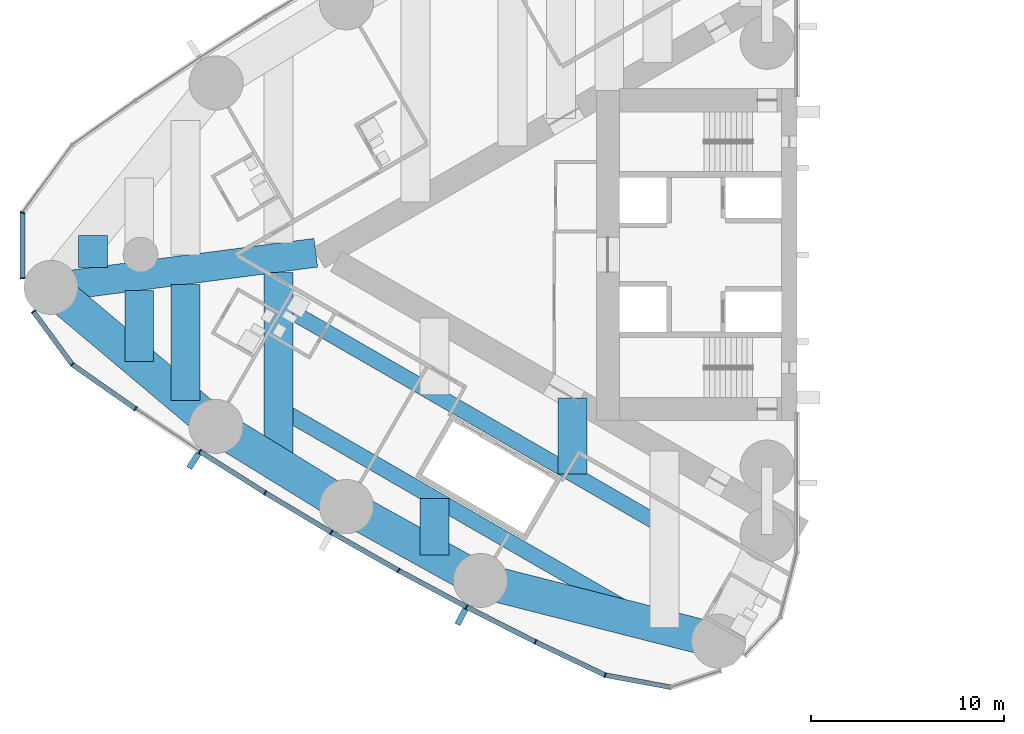
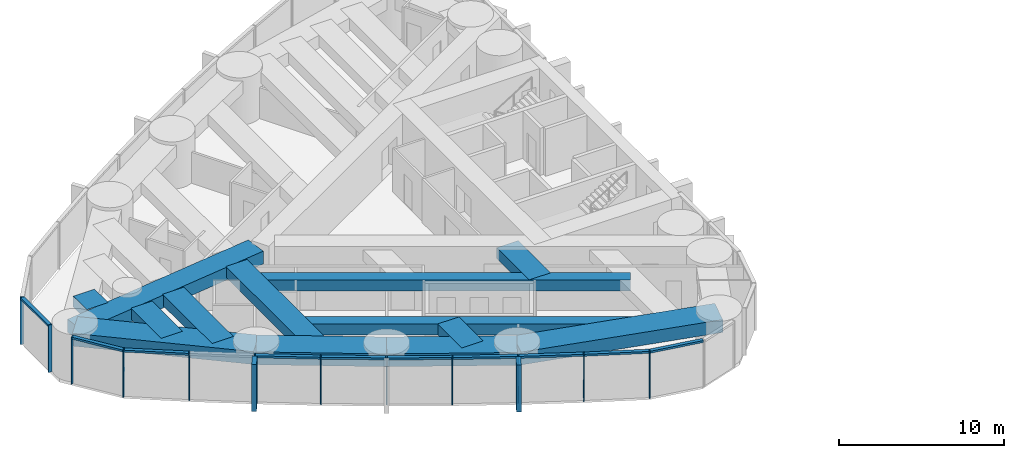
# One storey, part 2 of 18: 24 members, 13 beams, 2 elements without a shape of their own.
"""IFC4 building model written with IfcOpenShell, lengths in metres."""

from ifc_helpers import new_model, si_unit, direction, frame, origin, origin_2d, place, context, subcontext, project, spatial, rectangle, hollow_rectangle, extrude, material, material_profile, profile_set, type_object, element, aggregate, save


model = new_model("IFC4")

# Units and contexts
model_context = context("Model", 3, precision=1e-05, world=origin(), true_north=direction((0.0, 1.0)))
body_context = subcontext(model_context, "Body", "Model", "MODEL_VIEW")
ifc_project = project(units=[si_unit("LENGTHUNIT", "METRE"), si_unit("AREAUNIT", "SQUARE_METRE"), si_unit("VOLUMEUNIT", "CUBIC_METRE"), si_unit("PLANEANGLEUNIT", "RADIAN"), si_unit("MASSUNIT", "GRAM", prefix="KILO")], contexts=[model_context])

# Site, building, storey
site_placement = place(None, origin())
site = spatial("IfcSite", under=ifc_project, at=site_placement, CompositionType="ELEMENT")
building_placement = place(site_placement, origin())
building = spatial("IfcBuilding", under=site, at=building_placement, Name="Lancet Gate Hotel", CompositionType="ELEMENT")
storey_placement = place(building_placement, frame((0.0, 0.0, 180.800048828125)))
storey = spatial("IfcBuildingStorey", under=building, at=storey_placement, Name="L48", CompositionType="ELEMENT", Elevation=180.800048828125)

# Curtain wall, members
ifc_material_1 = material(Name="Aluminium curtain wall", Category="aluminium")
curtain_wall_type = type_object("IfcCurtainWallType", Name="Tower unitised curtain wall", PredefinedType="USERDEFINED", material=ifc_material_1)
curtain_wall_1_placement = place(storey_placement, origin())
curtain_wall_1 = element("IfcCurtainWall", 1, at=curtain_wall_1_placement, inside=storey, type_object=curtain_wall_type, Name="T1 L48 curtain wall 2", ObjectType="UNITISED CURTAIN WALL", PredefinedType="USERDEFINED")
ifc_material_2 = material(Name="Aluminium mullion", Category="aluminium")
ifc_material_profile_1 = material_profile(ifc_material_2, rectangle(XDim=0.06494140625, YDim=0.25, at=origin_2d()), Name="MULLION 65x250")
ifc_profile_set_1 = profile_set([ifc_material_profile_1], Name="Aluminium mullion")
member_type_1 = type_object("IfcMemberType", Name="Aluminium mullion 65x250", PredefinedType="MULLION", material=ifc_profile_set_1)
member_1_placement = place(storey_placement, frame((-67.61572265625, 2.177490234375, 0.0), z_axis=(0.0, 0.0, 1.0), x_axis=(-0.349199411078, -0.937048435943, 0.0)))
member_1 = element("IfcMember", 2, at=member_1_placement, type_object=member_type_1, Name="T1 L48 curtain wall 2 mullion 12", PredefinedType="MULLION", context=body_context, shape_type="SweptSolid", body=[
    extrude(rectangle(XDim=0.06494140625, YDim=0.25, at=origin_2d()), origin(), (0.0, 0.0, 1.0), 3.5),
])
member_2_placement = place(storey_placement, frame((-67.61572265625, -1.220458984375, 0.0), z_axis=(0.0, 0.0, 1.0), x_axis=(0.0, -1.0, 0.0)))
member_2 = element("IfcMember", 3, at=member_2_placement, type_object=member_type_1, Name="T1 L48 curtain wall 2 mullion 13", PredefinedType="MULLION", context=body_context, shape_type="SweptSolid", body=[
    extrude(rectangle(XDim=0.06494140625, YDim=0.25, at=origin_2d()), origin(), (0.0, 0.0, 1.0), 3.5),
])

curtain_wall_2_placement = place(storey_placement, origin())
curtain_wall_2 = element("IfcCurtainWall", 4, at=curtain_wall_2_placement, inside=storey, type_object=curtain_wall_type, Name="T1 L48 curtain wall 3", ObjectType="UNITISED CURTAIN WALL", PredefinedType="USERDEFINED")
member_3_placement = place(storey_placement, frame((-67.05029296875, -2.948486328125, 0.0), z_axis=(0.0, 0.0, 1.0), x_axis=(0.591299785592, -0.806451835858, 0.0)))
member_3 = element("IfcMember", 5, at=member_3_placement, type_object=member_type_1, Name="T1 L48 curtain wall 3 mullion 1", PredefinedType="MULLION", context=body_context, shape_type="SweptSolid", body=[
    extrude(rectangle(XDim=0.06494140625, YDim=0.25, at=origin_2d()), origin(), (0.0, 0.0, 1.0), 3.5),
])
member_4_placement = place(storey_placement, frame((-65.040283203125, -5.68994140625, 0.0), z_axis=(0.0, 0.0, 1.0), x_axis=(0.724381882759, -0.689398932354, 0.0)))
member_4 = element("IfcMember", 6, at=member_4_placement, type_object=member_type_1, Name="T1 L48 curtain wall 3 mullion 2", PredefinedType="MULLION", context=body_context, shape_type="SweptSolid", body=[
    extrude(rectangle(XDim=0.06494140625, YDim=0.25, at=origin_2d()), origin(), (0.0, 0.0, 1.0), 3.5),
])
member_5_placement = place(storey_placement, frame((-61.7626953125, -7.980712890625, 0.0), z_axis=(0.0, 0.0, 1.0), x_axis=(0.826312172542, -0.563212387568, 0.0)))
member_5 = element("IfcMember", 7, at=member_5_placement, type_object=member_type_1, Name="T1 L48 curtain wall 3 mullion 3", PredefinedType="MULLION", context=body_context, shape_type="SweptSolid", body=[
    extrude(rectangle(XDim=0.06494140625, YDim=0.25, at=origin_2d()), origin(), (0.0, 0.0, 1.0), 3.5),
])
member_6_placement = place(storey_placement, frame((-58.43212890625, -10.194091796875, 0.0), z_axis=(0.0, 0.0, 1.0), x_axis=(0.839331119324, -0.54362052218, 0.0)))
member_6 = element("IfcMember", 8, at=member_6_placement, type_object=member_type_1, Name="T1 L48 curtain wall 3 mullion 4", PredefinedType="MULLION", context=body_context, shape_type="SweptSolid", body=[
    extrude(rectangle(XDim=0.06494140625, YDim=0.25, at=origin_2d()), origin(), (0.0, 0.0, 1.0), 3.5),
])
member_7_placement = place(storey_placement, frame((-55.05029296875, -12.328369140625, 0.0), z_axis=(0.0, 0.0, 1.0), x_axis=(0.851885635531, -0.52372785297, 0.0)))
member_7 = element("IfcMember", 9, at=member_7_placement, type_object=member_type_1, Name="T1 L48 curtain wall 3 mullion 5", PredefinedType="MULLION", context=body_context, shape_type="SweptSolid", body=[
    extrude(rectangle(XDim=0.06494140625, YDim=0.25, at=origin_2d()), origin(), (0.0, 0.0, 1.0), 3.5),
])
member_8_placement = place(storey_placement, frame((-51.619384765625, -14.38232421875, 0.0), z_axis=(0.0, 0.0, 1.0), x_axis=(0.863968774311, -0.503545387245, 0.0)))
member_8 = element("IfcMember", 10, at=member_8_placement, type_object=member_type_1, Name="T1 L48 curtain wall 3 mullion 6", PredefinedType="MULLION", context=body_context, shape_type="SweptSolid", body=[
    extrude(rectangle(XDim=0.06494140625, YDim=0.25, at=origin_2d()), origin(), (0.0, 0.0, 1.0), 3.5),
])
member_9_placement = place(storey_placement, frame((-48.140869140625, -16.355224609375, 0.0), z_axis=(0.0, 0.0, 1.0), x_axis=(0.87557384965, -0.483084292654, 0.0)))
member_9 = element("IfcMember", 11, at=member_9_placement, type_object=member_type_1, Name="T1 L48 curtain wall 3 mullion 7", PredefinedType="MULLION", context=body_context, shape_type="SweptSolid", body=[
    extrude(rectangle(XDim=0.06494140625, YDim=0.25, at=origin_2d()), origin(), (0.0, 0.0, 1.0), 3.5),
])
member_10_placement = place(storey_placement, frame((-44.6171875, -18.245849609375, 0.0), z_axis=(0.0, 0.0, 1.0), x_axis=(0.886694440064, -0.462355891019, 0.0)))
member_10 = element("IfcMember", 12, at=member_10_placement, type_object=member_type_1, Name="T1 L48 curtain wall 3 mullion 8", PredefinedType="MULLION", context=body_context, shape_type="SweptSolid", body=[
    extrude(rectangle(XDim=0.06494140625, YDim=0.25, at=origin_2d()), origin(), (0.0, 0.0, 1.0), 3.5),
])
member_11_placement = place(storey_placement, frame((-41.0498046875, -20.052978515625, 0.0), z_axis=(0.0, 0.0, 1.0), x_axis=(0.897324392142, -0.441371652088, 0.0)))
member_11 = element("IfcMember", 13, at=member_11_placement, type_object=member_type_1, Name="T1 L48 curtain wall 3 mullion 9", PredefinedType="MULLION", context=body_context, shape_type="SweptSolid", body=[
    extrude(rectangle(XDim=0.06494140625, YDim=0.25, at=origin_2d()), origin(), (0.0, 0.0, 1.0), 3.5),
])
member_12_placement = place(storey_placement, frame((-37.44091796875, -21.775634765625, 0.0), z_axis=(0.0, 0.0, 1.0), x_axis=(0.948119321052, -0.317914694609, 0.0)))
member_12 = element("IfcMember", 14, at=member_12_placement, type_object=member_type_1, Name="T1 L48 curtain wall 3 mullion 10", PredefinedType="MULLION", context=body_context, shape_type="SweptSolid", body=[
    extrude(rectangle(XDim=0.06494140625, YDim=0.25, at=origin_2d()), origin(), (0.0, 0.0, 1.0), 3.5),
])

# Member
ifc_material_3 = material(Name="Aluminium transom", Category="aluminium")
ifc_material_profile_2 = material_profile(ifc_material_3, rectangle(XDim=0.25, YDim=0.14990234375, at=origin_2d()), Name="TRANSOM 250x150")
ifc_profile_set_2 = profile_set([ifc_material_profile_2], Name="Aluminium transom")
member_type_2 = type_object("IfcMemberType", Name="Aluminium transom 250x150", PredefinedType="USERDEFINED", material=ifc_profile_set_2)
member_13_placement = place(storey_placement, frame((-67.61572265625, 2.14501953125, 3.425048828125), z_axis=(0.0, -1.0, 0.0), x_axis=(1.0, 0.0, 0.0)))
member_13 = element("IfcMember", 15, at=member_13_placement, type_object=member_type_2, Name="T1 L48 curtain wall 2 transom 12", ObjectType="TRANSOM", PredefinedType="USERDEFINED", context=body_context, shape_type="SweptSolid", body=[
    extrude(rectangle(XDim=0.25, YDim=0.14990234375, at=origin_2d()), origin(), (0.0, 0.0, 1.0), 3.3330078125),
])

aggregate(curtain_wall_1, [member_1, member_2, member_13])

member_14_placement = place(storey_placement, frame((-67.031005859375, -2.974853515625, 3.425048828125), z_axis=(0.591306519832, -0.806446898193, 0.0), x_axis=(0.806446898193, 0.591306519832, 0.0)))
member_14 = element("IfcMember", 16, at=member_14_placement, type_object=member_type_2, Name="T1 L48 curtain wall 3 transom 1", ObjectType="TRANSOM", PredefinedType="USERDEFINED", context=body_context, shape_type="SweptSolid", body=[
    extrude(rectangle(XDim=0.25, YDim=0.14990234375, at=origin_2d()), origin(), (0.0, 0.0, 1.0), 3.333984375),
])

member_15_placement = place(storey_placement, frame((-65.013671875, -5.70849609375, 3.425048828125), z_axis=(0.819636985462, -0.572883244704, 0.0), x_axis=(0.572883244704, 0.819636985462, 0.0)))
member_15 = element("IfcMember", 17, at=member_15_placement, type_object=member_type_2, Name="T1 L48 curtain wall 3 transom 2", ObjectType="TRANSOM", PredefinedType="USERDEFINED", context=body_context, shape_type="SweptSolid", body=[
    extrude(rectangle(XDim=0.25, YDim=0.14990234375, at=origin_2d()), origin(), (0.0, 0.0, 1.0), 3.933837890625),
])

member_16_placement = place(storey_placement, frame((-58.40478515625, -10.21142578125, 3.425048828125), z_axis=(0.845671711095, -0.53370343549, 0.0), x_axis=(0.53370343549, 0.845671711095, 0.0)))
member_16 = element("IfcMember", 18, at=member_16_placement, type_object=member_type_2, Name="T1 L48 curtain wall 3 transom 4", ObjectType="TRANSOM", PredefinedType="USERDEFINED", context=body_context, shape_type="SweptSolid", body=[
    extrude(rectangle(XDim=0.25, YDim=0.14990234375, at=origin_2d()), origin(), (0.0, 0.0, 1.0), 3.93408203125),
])

member_17_placement = place(storey_placement, frame((-55.0224609375, -12.344970703125, 3.425048828125), z_axis=(0.857985365092, -0.513674131419, 0.0), x_axis=(0.513674131419, 0.857985365092, 0.0)))
member_17 = element("IfcMember", 19, at=member_17_placement, type_object=member_type_2, Name="T1 L48 curtain wall 3 transom 5", ObjectType="TRANSOM", PredefinedType="USERDEFINED", context=body_context, shape_type="SweptSolid", body=[
    extrude(rectangle(XDim=0.25, YDim=0.14990234375, at=origin_2d()), origin(), (0.0, 0.0, 1.0), 3.933837890625),
])

member_18_placement = place(storey_placement, frame((-51.591064453125, -14.3984375, 3.425048828125), z_axis=(0.869819807367, -0.493369539709, 0.0), x_axis=(0.493369539709, 0.869819807367, 0.0)))
member_18 = element("IfcMember", 20, at=member_18_placement, type_object=member_type_2, Name="T1 L48 curtain wall 3 transom 6", ObjectType="TRANSOM", PredefinedType="USERDEFINED", context=body_context, shape_type="SweptSolid", body=[
    extrude(rectangle(XDim=0.25, YDim=0.14990234375, at=origin_2d()), origin(), (0.0, 0.0, 1.0), 3.93408203125),
])

member_19_placement = place(storey_placement, frame((-48.1123046875, -16.37060546875, 3.425048828125), z_axis=(0.881185491994, -0.472770693571, 0.0), x_axis=(0.472770693571, 0.881185491994, 0.0)))
member_19 = element("IfcMember", 21, at=member_19_placement, type_object=member_type_2, Name="T1 L48 curtain wall 3 transom 7", ObjectType="TRANSOM", PredefinedType="USERDEFINED", context=body_context, shape_type="SweptSolid", body=[
    extrude(rectangle(XDim=0.25, YDim=0.14990234375, at=origin_2d()), origin(), (0.0, 0.0, 1.0), 3.93408203125),
])

member_20_placement = place(storey_placement, frame((-44.588134765625, -18.260498046875, 3.425048828125), z_axis=(0.892081477453, -0.451874581699, 0.0), x_axis=(0.451874581699, 0.892081477453, 0.0)))
member_20 = element("IfcMember", 22, at=member_20_placement, type_object=member_type_2, Name="T1 L48 curtain wall 3 transom 8", ObjectType="TRANSOM", PredefinedType="USERDEFINED", context=body_context, shape_type="SweptSolid", body=[
    extrude(rectangle(XDim=0.25, YDim=0.14990234375, at=origin_2d()), origin(), (0.0, 0.0, 1.0), 3.933837890625),
])

member_21_placement = place(storey_placement, frame((-41.0205078125, -20.06689453125, 3.425048828125), z_axis=(0.902468975385, -0.430754858902, 0.0), x_axis=(0.430754858902, 0.902468975385, 0.0)))
member_21 = element("IfcMember", 23, at=member_21_placement, type_object=member_type_2, Name="T1 L48 curtain wall 3 transom 9", ObjectType="TRANSOM", PredefinedType="USERDEFINED", context=body_context, shape_type="SweptSolid", body=[
    extrude(rectangle(XDim=0.25, YDim=0.14990234375, at=origin_2d()), origin(), (0.0, 0.0, 1.0), 3.93408203125),
])

member_22_placement = place(storey_placement, frame((-37.408935546875, -21.781494140625, 3.425048828125), z_axis=(0.983286757871, -0.182063592724, 0.0), x_axis=(0.182063592724, 0.983286757871, 0.0)))
member_22 = element("IfcMember", 24, at=member_22_placement, type_object=member_type_2, Name="T1 L48 curtain wall 3 transom 10", ObjectType="TRANSOM", PredefinedType="USERDEFINED", context=body_context, shape_type="SweptSolid", body=[
    extrude(rectangle(XDim=0.25, YDim=0.14990234375, at=origin_2d()), origin(), (0.0, 0.0, 1.0), 3.406005859375),
])

# Beams
ifc_material_4 = material(Name="Concrete C50/60", Category="concrete")
ifc_material_profile_3 = material_profile(ifc_material_4, rectangle(XDim=1.800048828125, YDim=0.949951171875, at=origin_2d()), Name="RC 1800x950")
ifc_profile_set_3 = profile_set([ifc_material_profile_3], Name="Concrete C50/60")
beam_type_1 = type_object("IfcBeamType", Name="Edge beam RC 1800x950", PredefinedType="SPANDREL", material=ifc_profile_set_3)
beam_1_placement = place(storey_placement, frame((-66.142578125, -1.6953125, 2.77490234375), z_axis=(0.765120708367, -0.64388687021, 0.0), x_axis=(0.64388687021, 0.765120708367, 0.0)))
element("IfcBeam", 25, at=beam_1_placement, inside=storey, type_object=beam_type_1, Name="T1 edge beam EB1 L48", PredefinedType="SPANDREL", context=body_context, shape_type="SweptSolid", body=[
    extrude(rectangle(XDim=1.800048828125, YDim=0.949951171875, at=origin_2d()), origin(), (0.0, 0.0, 1.0), 11.1787109375),
])
beam_2_placement = place(storey_placement, frame((-57.589599609375, -8.89306640625, 2.77490234375), z_axis=(0.851892008043, -0.523717487423, 0.0), x_axis=(0.523717487423, 0.851892008043, 0.0)))
element("IfcBeam", 26, at=beam_2_placement, inside=storey, type_object=beam_type_1, Name="T1 edge beam EB1 L48", PredefinedType="SPANDREL", context=body_context, shape_type="SweptSolid", body=[
    extrude(rectangle(XDim=1.800048828125, YDim=0.949951171875, at=origin_2d()), origin(), (0.0, 0.0, 1.0), 7.92431640625),
])
beam_3_placement = place(storey_placement, frame((-50.8388671875, -13.043212890625, 2.77490234375), z_axis=(0.875577684027, -0.483077342911, 0.0), x_axis=(0.483077342911, 0.875577684027, 0.0)))
element("IfcBeam", 27, at=beam_3_placement, inside=storey, type_object=beam_type_1, Name="T1 edge beam EB1 L48", PredefinedType="SPANDREL", context=body_context, shape_type="SweptSolid", body=[
    extrude(rectangle(XDim=1.800048828125, YDim=0.949951171875, at=origin_2d()), origin(), (0.0, 0.0, 1.0), 7.924560546875),
])
beam_4_placement = place(storey_placement, frame((-43.900390625, -16.871337890625, 2.77490234375), z_axis=(0.969008414312, -0.247027717052, 0.0), x_axis=(0.247027717052, 0.969008414312, 0.0)))
element("IfcBeam", 28, at=beam_4_placement, inside=storey, type_object=beam_type_1, Name="T1 edge beam EB1 L48", PredefinedType="SPANDREL", context=body_context, shape_type="SweptSolid", body=[
    extrude(rectangle(XDim=1.800048828125, YDim=0.949951171875, at=origin_2d()), origin(), (0.0, 0.0, 1.0), 12.7294921875),
])

# Member
ifc_material_5 = material(Name="Precast concrete C50/60", Category="concrete")
ifc_material_profile_4 = material_profile(ifc_material_5, rectangle(XDim=0.300048828125, YDim=0.89990234375, at=origin_2d()), Name="FIN 300x900")
ifc_profile_set_4 = profile_set([ifc_material_profile_4], Name="Precast concrete C50/60")
member_type_3 = type_object("IfcMemberType", Name="Exposed concrete fin 300x900", PredefinedType="USERDEFINED", material=ifc_profile_set_4)
member_23_placement = place(storey_placement, frame((-58.74462890625, -10.6767578125, 0.0), z_axis=(0.0, 0.0, 1.0), x_axis=(0.839331119324, -0.54362052218, 0.0)))
member_23 = element("IfcMember", 29, at=member_23_placement, type_object=member_type_3, Name="T1 L48 curtain wall 3 fin 4", ObjectType="FIN", PredefinedType="USERDEFINED", context=body_context, shape_type="SweptSolid", body=[
    extrude(rectangle(XDim=0.300048828125, YDim=0.89990234375, at=origin_2d()), origin(), (0.0, 0.0, 1.0), 3.5),
])

member_24_placement = place(storey_placement, frame((-44.883056640625, -18.755615234375, 0.0), z_axis=(0.0, 0.0, 1.0), x_axis=(0.886694440064, -0.462355891019, 0.0)))
member_24 = element("IfcMember", 30, at=member_24_placement, type_object=member_type_3, Name="T1 L48 curtain wall 3 fin 8", ObjectType="FIN", PredefinedType="USERDEFINED", context=body_context, shape_type="SweptSolid", body=[
    extrude(rectangle(XDim=0.300048828125, YDim=0.89990234375, at=origin_2d()), origin(), (0.0, 0.0, 1.0), 3.5),
])

aggregate(curtain_wall_2, [member_3, member_4, member_5, member_6, member_23, member_7, member_8, member_9, member_10, member_24, member_11, member_12, member_14, member_15, member_16, member_17, member_18, member_19, member_20, member_21, member_22])

# Beams
ifc_material_6 = material(Name="Concrete C50/60", Category="concrete")
ifc_material_profile_5 = material_profile(ifc_material_6, rectangle(XDim=1.5, YDim=0.800048828125, at=origin_2d()), Name="RC 1500x800")
ifc_profile_set_5 = profile_set([ifc_material_profile_5], Name="Concrete C50/60")
beam_type_2 = type_object("IfcBeamType", Name="Floor beam RC 1500x800", PredefinedType="BEAM", material=ifc_profile_set_5)
beam_5_placement = place(storey_placement, frame((-54.3681640625, -0.9130859375, 2.849853515625), z_axis=(0.0, -1.0, 0.0), x_axis=(1.0, 0.0, 0.0)))
element("IfcBeam", 31, at=beam_5_placement, inside=storey, type_object=beam_type_2, Name="T1 floor beam F11N L48", PredefinedType="BEAM", context=body_context, shape_type="SweptSolid", body=[
    extrude(rectangle(XDim=1.5, YDim=0.800048828125, at=origin_2d()), origin(), (0.0, 0.0, 1.0), 9.96044921875),
])
beam_6_placement = place(storey_placement, frame((-59.168212890625, -1.54052734375, 2.849853515625), z_axis=(0.0, -1.0, 0.0), x_axis=(1.0, 0.0, 0.0)))
element("IfcBeam", 32, at=beam_6_placement, inside=storey, type_object=beam_type_2, Name="T1 floor beam F13N L48", PredefinedType="BEAM", context=body_context, shape_type="SweptSolid", body=[
    extrude(rectangle(XDim=1.5, YDim=0.800048828125, at=origin_2d()), origin(), (0.0, 0.0, 1.0), 6.02392578125),
])
beam_7_placement = place(storey_placement, frame((-61.568359375, -1.85400390625, 2.849853515625), z_axis=(0.0, -1.0, 0.0), x_axis=(1.0, 0.0, 0.0)))
element("IfcBeam", 33, at=beam_7_placement, inside=storey, type_object=beam_type_2, Name="T1 floor beam F15N L48", PredefinedType="BEAM", context=body_context, shape_type="SweptSolid", body=[
    extrude(rectangle(XDim=1.5, YDim=0.800048828125, at=origin_2d()), origin(), (0.0, 0.0, 1.0), 3.69091796875),
])
beam_8_placement = place(storey_placement, frame((-63.96826171875, 0.996337890625, 2.849853515625), z_axis=(0.0, -1.0, 0.0), x_axis=(1.0, 0.0, 0.0)))
element("IfcBeam", 34, at=beam_8_placement, inside=storey, type_object=beam_type_2, Name="T1 floor beam F16S L48", PredefinedType="BEAM", context=body_context, shape_type="SweptSolid", body=[
    extrude(rectangle(XDim=1.5, YDim=0.800048828125, at=origin_2d()), origin(), (0.0, 0.0, 1.0), 1.6513671875),
])
beam_9_placement = place(storey_placement, frame((-39.122314453125, -7.41650390625, 2.849853515625), z_axis=(0.0, -1.0, 0.0), x_axis=(1.0, 0.0, 0.0)))
element("IfcBeam", 35, at=beam_9_placement, inside=storey, type_object=beam_type_2, Name="T1 floor beam F05NA L48", PredefinedType="BEAM", context=body_context, shape_type="SweptSolid", body=[
    extrude(rectangle(XDim=1.5, YDim=0.800048828125, at=origin_2d()), origin(), (0.0, 0.0, 1.0), 3.945556640625),
])
beam_10_placement = place(storey_placement, frame((-46.27587890625, -12.61962890625, 2.849853515625), z_axis=(0.0, -1.0, 0.0), x_axis=(1.0, 0.0, 0.0)))
element("IfcBeam", 36, at=beam_10_placement, inside=storey, type_object=beam_type_2, Name="T1 floor beam F08NB L48", PredefinedType="BEAM", context=body_context, shape_type="SweptSolid", body=[
    extrude(rectangle(XDim=1.5, YDim=0.800048828125, at=origin_2d()), origin(), (0.0, 0.0, 1.0), 2.941162109375),
])
ifc_material_7 = material(Name="Concrete C50/60", Category="concrete")
ifc_material_profile_6 = material_profile(ifc_material_7, rectangle(XDim=1.5, YDim=0.949951171875, at=origin_2d()), Name="RC 1500x950")
ifc_profile_set_6 = profile_set([ifc_material_profile_6], Name="Concrete C50/60")
beam_type_3 = type_object("IfcBeamType", Name="Radial floor beam RC 1500x950", PredefinedType="BEAM", material=ifc_profile_set_6)
beam_11_placement = place(storey_placement, frame((-66.142578125, -1.6953125, 2.77490234375), z_axis=(0.991571259053, 0.129562487702, 0.0), x_axis=(-0.129562487702, 0.991571259053, 0.0)))
element("IfcBeam", 37, at=beam_11_placement, inside=storey, type_object=beam_type_3, Name="T1 radial beam CA L48", PredefinedType="BEAM", context=body_context, shape_type="SweptSolid", body=[
    extrude(rectangle(XDim=1.5, YDim=0.949951171875, at=origin_2d()), origin(), (0.0, 0.0, 1.0), 13.8349609375),
])
ifc_material_8 = material(Name="Steel S460QL", Category="steel")
ifc_material_profile_7 = material_profile(ifc_material_8, hollow_rectangle(XDim=0.800048828125, YDim=0.800048828125, WallThickness=0.080078125, at=origin_2d()), Name="BOX 800x800x80")
ifc_profile_set_7 = profile_set([ifc_material_profile_7], Name="Steel S460QL")
beam_type_4 = type_object("IfcBeamType", Name="Trimmer beam BOX 800x800x80", PredefinedType="BEAM", material=ifc_profile_set_7)
beam_12_placement = place(storey_placement, frame((-34.353515625, -14.115234375, 2.849853515625), z_axis=(-0.866035353112, 0.499982766863, 0.0), x_axis=(-0.499982766863, -0.866035353112, 0.0)))
element("IfcBeam", 38, at=beam_12_placement, inside=storey, type_object=beam_type_4, Name="T1 trimmer beam TR01N L48", PredefinedType="BEAM", context=body_context, shape_type="SweptSolid", body=[
    extrude(hollow_rectangle(XDim=0.800048828125, YDim=0.800048828125, WallThickness=0.080078125, at=origin_2d()), origin(), (0.0, 0.0, 1.0), 23.110595703125),
])
beam_13_placement = place(storey_placement, frame((-34.966552734375, -19.14892578125, 2.849853515625), z_axis=(-0.866032239169, 0.499988160579, 0.0), x_axis=(-0.499988160579, -0.866032239169, 0.0)))
element("IfcBeam", 39, at=beam_13_placement, inside=storey, type_object=beam_type_4, Name="T1 trimmer beam TR02N L48", PredefinedType="BEAM", context=body_context, shape_type="SweptSolid", body=[
    extrude(hollow_rectangle(XDim=0.800048828125, YDim=0.800048828125, WallThickness=0.080078125, at=origin_2d()), origin(), (0.0, 0.0, 1.0), 22.40283203125),
])

save(model, "model.ifc")
